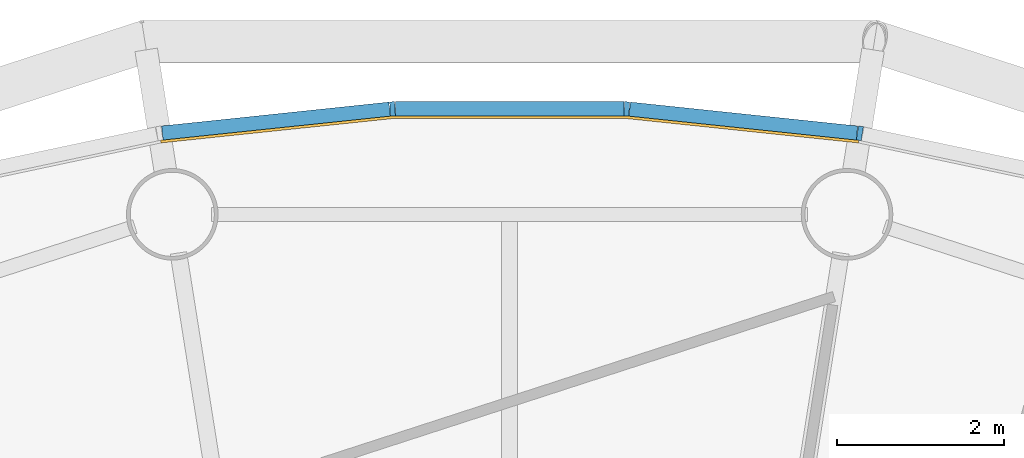
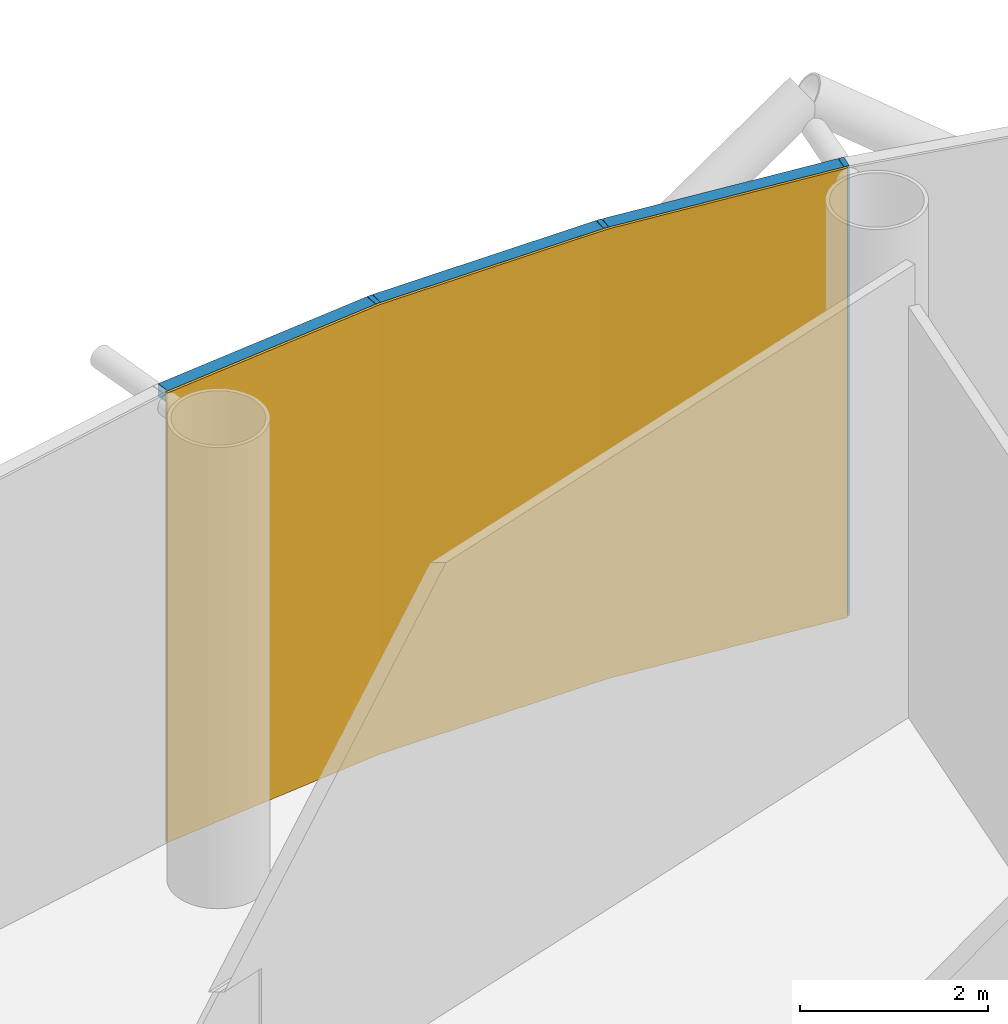
# One storey, part 11 of 14: 6 members, 1 curtain wall.
"""IFC4 building model written with IfcOpenShell, lengths in metres."""

from ifc_helpers import new_model, si_unit, direction, frame, origin, origin_2d, place, context, subcontext, project, spatial, polyline, rectangle, outline, extrude, material, layer, layer_set, material_profile, profile_set, type_object, element, aggregate, save


model = new_model("IFC4")

# Units and contexts
model_context = context("Model", 3, precision=1e-05, world=origin(), true_north=direction((0.0, 1.0)))
body_context = subcontext(model_context, "Body", "Model", "MODEL_VIEW")
ifc_project = project(units=[si_unit("LENGTHUNIT", "METRE"), si_unit("AREAUNIT", "SQUARE_METRE"), si_unit("VOLUMEUNIT", "CUBIC_METRE"), si_unit("PLANEANGLEUNIT", "RADIAN"), si_unit("MASSUNIT", "GRAM", prefix="KILO")], contexts=[model_context])

# Member
ifc_material_1 = material(Name="Anodised aluminium", Category="aluminium")
ifc_material_profile_1 = material_profile(ifc_material_1, rectangle(XDim=0.06005859375, YDim=0.169921875, at=origin_2d()), Name="Mullion 60 x 170 mm anodised aluminium")
ifc_profile_set_1 = profile_set([ifc_material_profile_1], Name="Anodised aluminium")
member_type_1 = type_object("IfcMemberType", Name="Mullion 60 x 170 mm anodised aluminium", PredefinedType="MULLION", material=ifc_profile_set_1)
site_placement = place(None, origin())
building_placement = place(site_placement, origin())
storey_placement = place(building_placement, frame((0.0, 0.0, 262.0)))
member_1_placement = place(storey_placement, frame((94.205810546875, 106.553955078125, 0.0), z_axis=(0.0, 0.0, 1.0), x_axis=(-0.987688340595, 0.15643446504, 0.0)))
member_1 = element("IfcMember", 1, at=member_1_placement, type_object=member_type_1, Name="MULLION L60-12", PredefinedType="MULLION", context=body_context, shape_type="SweptSolid", body=[
    extrude(rectangle(XDim=0.06005859375, YDim=0.169921875, at=origin_2d()), origin(), (0.0, 0.0, 1.0), 5.85009765625),
])

member_2_placement = place(storey_placement, frame((91.406982421875, 106.84814453125, 0.0), z_axis=(0.0, 0.0, 1.0), x_axis=(-0.998629534755, 0.052335956243, 0.0)))
member_2 = element("IfcMember", 2, at=member_2_placement, type_object=member_type_1, Name="MULLION L60-13", PredefinedType="MULLION", context=body_context, shape_type="SweptSolid", body=[
    extrude(rectangle(XDim=0.06005859375, YDim=0.169921875, at=origin_2d()), origin(), (0.0, 0.0, 1.0), 5.85009765625),
])

member_3_placement = place(storey_placement, frame((88.593017578125, 106.84814453125, 0.0), z_axis=(0.0, 0.0, 1.0), x_axis=(-0.998629534755, -0.052335956243, 0.0)))
member_3 = element("IfcMember", 3, at=member_3_placement, type_object=member_type_1, Name="MULLION L60-14", PredefinedType="MULLION", context=body_context, shape_type="SweptSolid", body=[
    extrude(rectangle(XDim=0.06005859375, YDim=0.169921875, at=origin_2d()), origin(), (0.0, 0.0, 1.0), 5.85009765625),
])

ifc_material_2 = material(Name="Anodised aluminium", Category="aluminium")
ifc_material_profile_2 = material_profile(ifc_material_2, rectangle(XDim=0.169921875, YDim=0.1650390625, at=origin_2d()), Name="Transom 165 x 170 mm anodised aluminium")
ifc_profile_set_2 = profile_set([ifc_material_profile_2], Name="Anodised aluminium")
member_type_2 = type_object("IfcMemberType", Name="Transom 165 x 170 mm anodised aluminium", PredefinedType="USERDEFINED", material=ifc_profile_set_2)
member_4_placement = place(storey_placement, frame((94.17138671875, 106.5576171875, 5.767578125), z_axis=(-0.994515195344, 0.104592190102, 0.0), x_axis=(-0.104592190102, -0.994515195344, 0.0)))
member_4 = element("IfcMember", 4, at=member_4_placement, type_object=member_type_2, Name="TRANSOM L60-12", ObjectType="TRANSOM", PredefinedType="USERDEFINED", context=body_context, shape_type="SweptSolid", body=[
    extrude(rectangle(XDim=0.169921875, YDim=0.1650390625, at=origin_2d()), origin(), (0.0, 0.0, 1.0), 2.7451171875),
])

member_5_placement = place(storey_placement, frame((91.37255859375, 106.848388671875, 5.767578125), z_axis=(-1.0, 0.0, 0.0), x_axis=(0.0, -1.0, 0.0)))
member_5 = element("IfcMember", 5, at=member_5_placement, type_object=member_type_2, Name="TRANSOM L60-13", ObjectType="TRANSOM", PredefinedType="USERDEFINED", context=body_context, shape_type="SweptSolid", body=[
    extrude(rectangle(XDim=0.169921875, YDim=0.1650390625, at=origin_2d()), origin(), (0.0, 0.0, 1.0), 2.7451171875),
])

member_6_placement = place(storey_placement, frame((88.55859375, 106.8447265625, 5.767578125), z_axis=(-0.994515195344, -0.104592190102, 0.0), x_axis=(0.104592190102, -0.994515195344, 0.0)))
member_6 = element("IfcMember", 6, at=member_6_placement, type_object=member_type_2, Name="TRANSOM L60-14", ObjectType="TRANSOM", PredefinedType="USERDEFINED", context=body_context, shape_type="SweptSolid", body=[
    extrude(rectangle(XDim=0.169921875, YDim=0.1650390625, at=origin_2d()), origin(), (0.0, 0.0, 1.0), 2.7451171875),
])

# Site, building, storey
site = spatial("IfcSite", under=ifc_project, at=site_placement, CompositionType="ELEMENT")
building = spatial("IfcBuilding", under=site, at=building_placement, Name="Entoto Ring Tower", CompositionType="ELEMENT")
storey = spatial("IfcBuildingStorey", under=building, at=storey_placement, Name="L60", CompositionType="ELEMENT", Elevation=262.0)

# Curtain wall
ifc_material_3 = material(Name="Clear low-iron glass", Category="glass")
ifc_layer = layer(ifc_material_3, 0.031982421875)
ifc_layer_set = layer_set([ifc_layer], Name="Clear low-iron glass")
curtain_wall_type = type_object("IfcCurtainWallType", Name="Curtain wall system CW4 glazing 32 mm", PredefinedType="NOTDEFINED", material=ifc_layer_set)
curtain_wall_placement = place(storey_placement, origin())
curtain_wall = element("IfcCurtainWall", 7, at=curtain_wall_placement, inside=storey, type_object=curtain_wall_type, Name="CW4 L60-05", PredefinedType="NOTDEFINED", context=body_context, shape_type="SweptSolid", body=[
    extrude(outline(polyline([(94.1923828125, 106.469970703125), (91.402587890625, 106.76318359375), (88.597412109375, 106.76318359375), (85.8076171875, 106.469970703125), (85.8125, 106.4384765625), (88.59912109375, 106.731201171875), (91.40087890625, 106.731201171875), (94.1875, 106.4384765625), (94.1923828125, 106.469970703125)])), origin(), (0.0, 0.0, 1.0), 5.85009765625),
])

aggregate(curtain_wall, [member_1, member_2, member_3, member_4, member_5, member_6])

save(model, "model.ifc")
